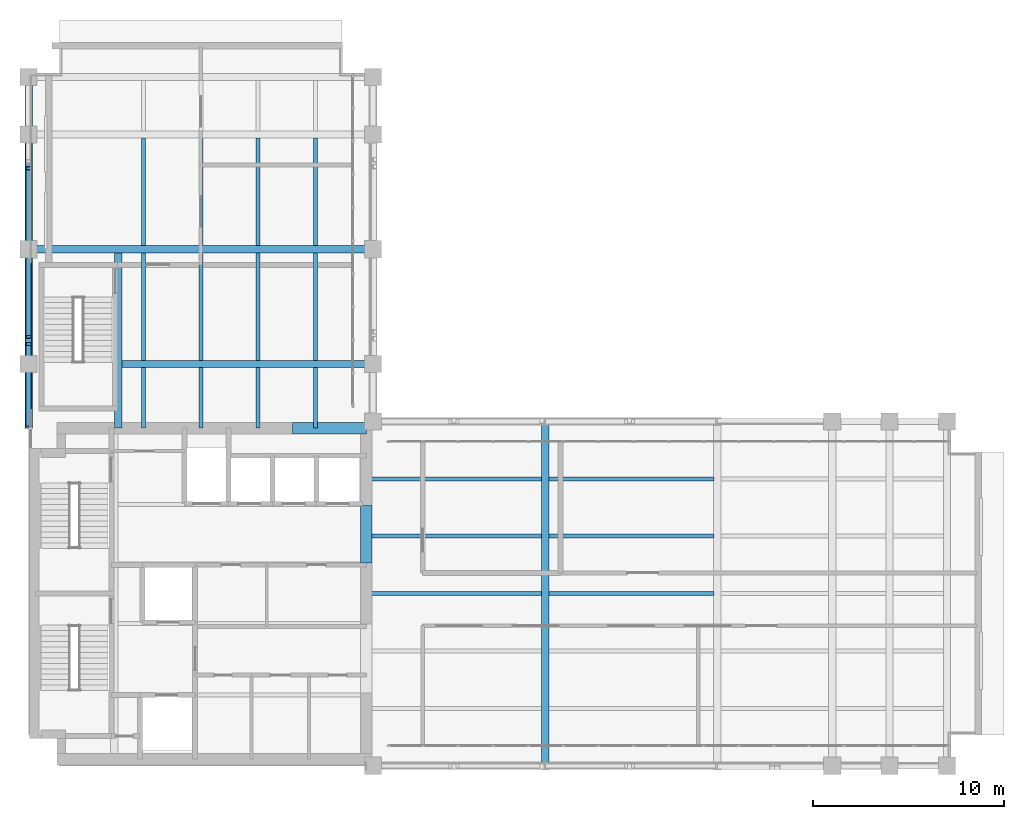
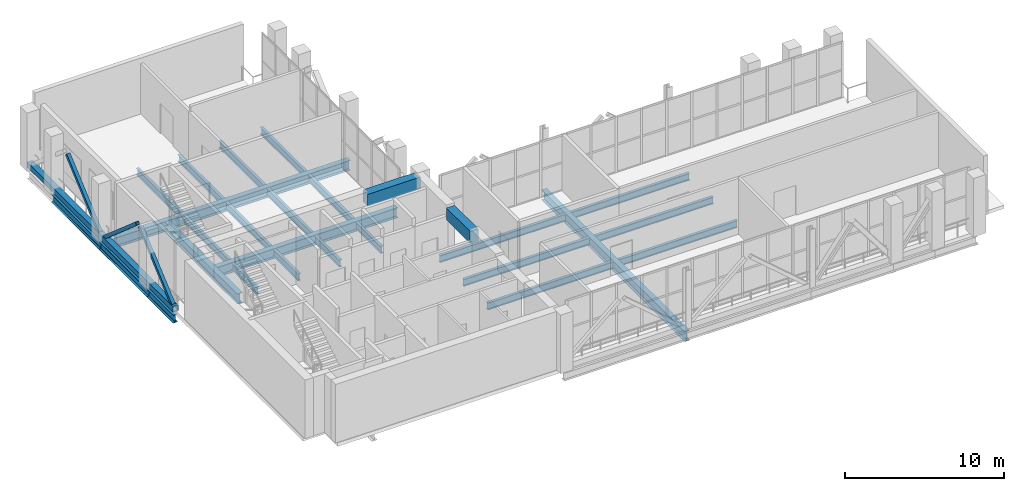
# One storey, part 5 of 26: 27 beams, 4 members.
"""IFC4 building model written with IfcOpenShell, lengths in metres."""

from ifc_helpers import new_model, si_unit, direction, frame, origin, origin_2d, place, context, subcontext, project, spatial, rectangle, hollow_rectangle, i_section, extrude, material, material_profile, profile_set, type_object, element, save


model = new_model("IFC4")

# Units and contexts
model_context = context("Model", 3, precision=1e-05, world=origin(), true_north=direction((0.0, 1.0)))
body_context = subcontext(model_context, "Body", "Model", "MODEL_VIEW")
ifc_project = project(units=[si_unit("LENGTHUNIT", "METRE"), si_unit("AREAUNIT", "SQUARE_METRE"), si_unit("VOLUMEUNIT", "CUBIC_METRE"), si_unit("PLANEANGLEUNIT", "RADIAN"), si_unit("MASSUNIT", "GRAM", prefix="KILO")], contexts=[model_context])

# Site, building, storey
site_placement = place(None, origin())
site = spatial("IfcSite", under=ifc_project, at=site_placement, CompositionType="ELEMENT")
building_placement = place(site_placement, origin())
building = spatial("IfcBuilding", under=site, at=building_placement, Name="Mawjdan Bourse Tower", CompositionType="ELEMENT")
storey_placement = place(building_placement, frame((0.0, 0.0, 226.800048828125)))
storey = spatial("IfcBuildingStorey", under=building, at=storey_placement, Name="L55", CompositionType="ELEMENT", Elevation=226.800048828125)

# Members
ifc_material_1 = material(Name="Structural Steel S355", Category="steel")
ifc_material_profile_1 = material_profile(ifc_material_1, hollow_rectangle(XDim=0.25, YDim=0.25, WallThickness=0.012451171875, at=origin_2d()), Name="HSS250X250X12.5")
ifc_profile_set_1 = profile_set([ifc_material_profile_1], Name="Structural Steel S355")
member_type_1 = type_object("IfcMemberType", Name="BRC-HSS250X250X12.5", PredefinedType="BRACE", material=ifc_profile_set_1)
member_1_placement = place(storey_placement, frame((6.0, 20.83349609375, 0.199951171875), z_axis=(0.0, 0.756383065472, 0.65412893092), x_axis=(-1.0, 0.0, 0.0)))
element("IfcMember", 1, at=member_1_placement, inside=storey, type_object=member_type_1, Name="L55 North Outrigger Truss 1 Diagonal 1", PredefinedType="BRACE", context=body_context, shape_type="SweptSolid", body=[
    extrude(hollow_rectangle(XDim=0.25, YDim=0.25, WallThickness=0.012451171875, at=origin_2d()), origin(), (0.0, 0.0, 1.0), 5.579833984375),
])
member_2_placement = place(storey_placement, frame((6.0, 25.4208984375, 3.849853515625), z_axis=(0.0, 0.756401786398, -0.654107282893), x_axis=(-1.0, 0.0, 0.0)))
element("IfcMember", 2, at=member_2_placement, inside=storey, type_object=member_type_1, Name="L55 North Outrigger Truss 1 Diagonal 2", PredefinedType="BRACE", context=body_context, shape_type="SweptSolid", body=[
    extrude(hollow_rectangle(XDim=0.25, YDim=0.25, WallThickness=0.012451171875, at=origin_2d()), origin(), (0.0, 0.0, 1.0), 5.580078125),
])
member_3_placement = place(storey_placement, frame((6.0, 30.008544921875, 0.199951171875), z_axis=(0.0, 0.756383065472, 0.65412893092), x_axis=(-1.0, 0.0, 0.0)))
element("IfcMember", 3, at=member_3_placement, inside=storey, type_object=member_type_1, Name="L55 North Outrigger Truss 1 Diagonal 3", PredefinedType="BRACE", context=body_context, shape_type="SweptSolid", body=[
    extrude(hollow_rectangle(XDim=0.25, YDim=0.25, WallThickness=0.012451171875, at=origin_2d()), origin(), (0.0, 0.0, 1.0), 5.579833984375),
])
ifc_material_2 = material(Name="Structural Steel S460", Category="steel")
ifc_material_profile_2 = material_profile(ifc_material_2, hollow_rectangle(XDim=0.39990234375, YDim=0.39990234375, WallThickness=0.01611328125, at=origin_2d()), Name="HSS400X400X16")
ifc_profile_set_2 = profile_set([ifc_material_profile_2], Name="Structural Steel S460")
member_type_2 = type_object("IfcMemberType", Name="CHD-HSS400X400X16", PredefinedType="CHORD", material=ifc_profile_set_2)
member_4_placement = place(storey_placement, frame((6.0, 20.64990234375, 0.199951171875), z_axis=(0.0, 1.0, 0.0), x_axis=(-1.0, 0.0, 0.0)))
element("IfcMember", 4, at=member_4_placement, inside=storey, type_object=member_type_2, Name="L55 North Outrigger Truss 1 Bottom Chord", PredefinedType="CHORD", context=body_context, shape_type="SweptSolid", body=[
    extrude(hollow_rectangle(XDim=0.39990234375, YDim=0.39990234375, WallThickness=0.01611328125, at=origin_2d()), origin(), (0.0, 0.0, 1.0), 18.35009765625),
])

# Beams
ifc_material_profile_3 = material_profile(ifc_material_1, i_section(OverallWidth=0.381103515625, OverallDepth=0.77294921875, WebThickness=0.0166015625, FlangeThickness=0.027099609375, FilletRadius=0.021728515625, at=origin_2d()), Name="W30X173")
ifc_profile_set_3 = profile_set([ifc_material_profile_3], Name="Structural Steel S355")
beam_type_1 = type_object("IfcBeamType", Name="GRD-W30X173", PredefinedType="BEAM", material=ifc_profile_set_3)
beam_1_placement = place(storey_placement, frame((33.0, 3.0, -0.66650390625), z_axis=(0.0, 1.0, 0.0), x_axis=(-1.0, 0.0, 0.0)))
element("IfcBeam", 5, at=beam_1_placement, inside=storey, type_object=beam_type_1, Name="L55 East Wing Clear-Span Girder 002", PredefinedType="BEAM", context=body_context, shape_type="SweptSolid", body=[
    extrude(i_section(OverallWidth=0.381103515625, OverallDepth=0.77294921875, WebThickness=0.0166015625, FlangeThickness=0.027099609375, FilletRadius=0.021728515625, at=origin_2d()), origin(), (0.0, 0.0, 1.0), 18.0),
])
beam_2_placement = place(storey_placement, frame((10.679931640625, 20.64990234375, -0.66650390625), z_axis=(0.0, 1.0, 0.0), x_axis=(-1.0, 0.0, 0.0)))
element("IfcBeam", 6, at=beam_2_placement, inside=storey, type_object=beam_type_1, Name="L55 North Wing Stair Trimmer Girder 046", PredefinedType="BEAM", context=body_context, shape_type="SweptSolid", body=[
    extrude(i_section(OverallWidth=0.381103515625, OverallDepth=0.77294921875, WebThickness=0.0166015625, FlangeThickness=0.027099609375, FilletRadius=0.021728515625, at=origin_2d()), origin(), (0.0, 0.0, 1.0), 9.16162109375),
])
beam_3_placement = place(storey_placement, frame((10.868408203125, 24.0, -0.66650390625), z_axis=(1.0, 0.0, 0.0), x_axis=(0.0, 1.0, 0.0)))
element("IfcBeam", 7, at=beam_3_placement, inside=storey, type_object=beam_type_1, Name="L55 North Wing Clear-Span Girder 047", PredefinedType="BEAM", context=body_context, shape_type="SweptSolid", body=[
    extrude(i_section(OverallWidth=0.381103515625, OverallDepth=0.77294921875, WebThickness=0.0166015625, FlangeThickness=0.027099609375, FilletRadius=0.021728515625, at=origin_2d()), origin(), (0.0, 0.0, 1.0), 13.131591796875),
])
beam_4_placement = place(storey_placement, frame((6.0, 30.0, -0.66650390625), z_axis=(1.0, 0.0, 0.0), x_axis=(0.0, 1.0, 0.0)))
element("IfcBeam", 8, at=beam_4_placement, inside=storey, type_object=beam_type_1, Name="L55 North Wing Clear-Span Girder 048", PredefinedType="BEAM", context=body_context, shape_type="SweptSolid", body=[
    extrude(i_section(OverallWidth=0.381103515625, OverallDepth=0.77294921875, WebThickness=0.0166015625, FlangeThickness=0.027099609375, FilletRadius=0.021728515625, at=origin_2d()), origin(), (0.0, 0.0, 1.0), 18.0),
])
ifc_material_profile_4 = material_profile(ifc_material_1, i_section(OverallWidth=0.2099609375, OverallDepth=0.537109375, WebThickness=0.010986328125, FlangeThickness=0.017333984375, FilletRadius=0.013916015625, at=origin_2d()), Name="W21X68")
ifc_profile_set_4 = profile_set([ifc_material_profile_4], Name="Structural Steel S355")
beam_type_2 = type_object("IfcBeamType", Name="JST-W21X68", PredefinedType="JOIST", material=ifc_profile_set_4)
beam_5_placement = place(storey_placement, frame((23.64990234375, 12.0, -0.548583984375), z_axis=(1.0, 0.0, 0.0), x_axis=(0.0, 1.0, 0.0)))
element("IfcBeam", 9, at=beam_5_placement, inside=storey, type_object=beam_type_2, Name="L55 East Wing Composite Joist 027", PredefinedType="JOIST", context=body_context, shape_type="SweptSolid", body=[
    extrude(i_section(OverallWidth=0.2099609375, OverallDepth=0.537109375, WebThickness=0.010986328125, FlangeThickness=0.017333984375, FilletRadius=0.013916015625, at=origin_2d()), origin(), (0.0, 0.0, 1.0), 9.16162109375),
])
beam_6_placement = place(storey_placement, frame((33.1884765625, 12.0, -0.548583984375), z_axis=(1.0, 0.0, 0.0), x_axis=(0.0, 1.0, 0.0)))
element("IfcBeam", 10, at=beam_6_placement, inside=storey, type_object=beam_type_2, Name="L55 East Wing Composite Joist 028", PredefinedType="JOIST", context=body_context, shape_type="SweptSolid", body=[
    extrude(i_section(OverallWidth=0.2099609375, OverallDepth=0.537109375, WebThickness=0.010986328125, FlangeThickness=0.017333984375, FilletRadius=0.013916015625, at=origin_2d()), origin(), (0.0, 0.0, 1.0), 8.623046875),
])
beam_7_placement = place(storey_placement, frame((23.64990234375, 15.0, -0.548583984375), z_axis=(1.0, 0.0, 0.0), x_axis=(0.0, 1.0, 0.0)))
element("IfcBeam", 11, at=beam_7_placement, inside=storey, type_object=beam_type_2, Name="L55 East Wing Composite Joist 032", PredefinedType="JOIST", context=body_context, shape_type="SweptSolid", body=[
    extrude(i_section(OverallWidth=0.2099609375, OverallDepth=0.537109375, WebThickness=0.010986328125, FlangeThickness=0.017333984375, FilletRadius=0.013916015625, at=origin_2d()), origin(), (0.0, 0.0, 1.0), 9.16162109375),
])
beam_8_placement = place(storey_placement, frame((33.1884765625, 15.0, -0.548583984375), z_axis=(1.0, 0.0, 0.0), x_axis=(0.0, 1.0, 0.0)))
element("IfcBeam", 12, at=beam_8_placement, inside=storey, type_object=beam_type_2, Name="L55 East Wing Composite Joist 033", PredefinedType="JOIST", context=body_context, shape_type="SweptSolid", body=[
    extrude(i_section(OverallWidth=0.2099609375, OverallDepth=0.537109375, WebThickness=0.010986328125, FlangeThickness=0.017333984375, FilletRadius=0.013916015625, at=origin_2d()), origin(), (0.0, 0.0, 1.0), 8.623046875),
])
beam_9_placement = place(storey_placement, frame((23.64990234375, 18.0, -0.548583984375), z_axis=(1.0, 0.0, 0.0), x_axis=(0.0, 1.0, 0.0)))
element("IfcBeam", 13, at=beam_9_placement, inside=storey, type_object=beam_type_2, Name="L55 East Wing Composite Joist 037", PredefinedType="JOIST", context=body_context, shape_type="SweptSolid", body=[
    extrude(i_section(OverallWidth=0.2099609375, OverallDepth=0.537109375, WebThickness=0.010986328125, FlangeThickness=0.017333984375, FilletRadius=0.013916015625, at=origin_2d()), origin(), (0.0, 0.0, 1.0), 9.16162109375),
])
beam_10_placement = place(storey_placement, frame((33.1884765625, 18.0, -0.548583984375), z_axis=(1.0, 0.0, 0.0), x_axis=(0.0, 1.0, 0.0)))
element("IfcBeam", 14, at=beam_10_placement, inside=storey, type_object=beam_type_2, Name="L55 East Wing Composite Joist 038", PredefinedType="JOIST", context=body_context, shape_type="SweptSolid", body=[
    extrude(i_section(OverallWidth=0.2099609375, OverallDepth=0.537109375, WebThickness=0.010986328125, FlangeThickness=0.017333984375, FilletRadius=0.013916015625, at=origin_2d()), origin(), (0.0, 0.0, 1.0), 8.623046875),
])
beam_11_placement = place(storey_placement, frame((12.0, 20.64990234375, -0.548583984375), z_axis=(0.0, 1.0, 0.0), x_axis=(-1.0, 0.0, 0.0)))
element("IfcBeam", 15, at=beam_11_placement, inside=storey, type_object=beam_type_2, Name="L55 North Wing Composite Joist 059", PredefinedType="JOIST", context=body_context, shape_type="SweptSolid", body=[
    extrude(i_section(OverallWidth=0.2099609375, OverallDepth=0.537109375, WebThickness=0.010986328125, FlangeThickness=0.017333984375, FilletRadius=0.013916015625, at=origin_2d()), origin(), (0.0, 0.0, 1.0), 3.16162109375),
])
for number, where, z_axis, x_axis, name in (
    (16, (12.0, 24.1884765625, -0.548583984375), (0.0, 1.0, 0.0), (-1.0, 0.0, 0.0), "L55 North Wing Composite Joist 060"),
    (17, (12.0, 30.1884765625, -0.548583984375), (0.0, 1.0, 0.0), (-1.0, 0.0, 0.0), "L55 North Wing Composite Joist 061"),
):
    element("IfcBeam", number, at=place(storey_placement, frame(where, z_axis=z_axis, x_axis=x_axis)), inside=storey, type_object=beam_type_2, Name=name, PredefinedType="JOIST", context=body_context, shape_type="SweptSolid", body=[
        extrude(i_section(OverallWidth=0.2099609375, OverallDepth=0.537109375, WebThickness=0.010986328125, FlangeThickness=0.017333984375, FilletRadius=0.013916015625, at=origin_2d()), origin(), (0.0, 0.0, 1.0), 5.623046875),
    ])
beam_12_placement = place(storey_placement, frame((15.0, 20.64990234375, -0.548583984375), z_axis=(0.0, 1.0, 0.0), x_axis=(-1.0, 0.0, 0.0)))
element("IfcBeam", 18, at=beam_12_placement, inside=storey, type_object=beam_type_2, Name="L55 North Wing Composite Joist 063", PredefinedType="JOIST", context=body_context, shape_type="SweptSolid", body=[
    extrude(i_section(OverallWidth=0.2099609375, OverallDepth=0.537109375, WebThickness=0.010986328125, FlangeThickness=0.017333984375, FilletRadius=0.013916015625, at=origin_2d()), origin(), (0.0, 0.0, 1.0), 3.16162109375),
])
for number, where, z_axis, x_axis, name in (
    (19, (15.0, 24.1884765625, -0.548583984375), (0.0, 1.0, 0.0), (-1.0, 0.0, 0.0), "L55 North Wing Composite Joist 064"),
    (20, (15.0, 30.1884765625, -0.548583984375), (0.0, 1.0, 0.0), (-1.0, 0.0, 0.0), "L55 North Wing Composite Joist 065"),
):
    element("IfcBeam", number, at=place(storey_placement, frame(where, z_axis=z_axis, x_axis=x_axis)), inside=storey, type_object=beam_type_2, Name=name, PredefinedType="JOIST", context=body_context, shape_type="SweptSolid", body=[
        extrude(i_section(OverallWidth=0.2099609375, OverallDepth=0.537109375, WebThickness=0.010986328125, FlangeThickness=0.017333984375, FilletRadius=0.013916015625, at=origin_2d()), origin(), (0.0, 0.0, 1.0), 5.623046875),
    ])
beam_13_placement = place(storey_placement, frame((18.0, 20.64990234375, -0.548583984375), z_axis=(0.0, 1.0, 0.0), x_axis=(-1.0, 0.0, 0.0)))
element("IfcBeam", 21, at=beam_13_placement, inside=storey, type_object=beam_type_2, Name="L55 North Wing Composite Joist 067", PredefinedType="JOIST", context=body_context, shape_type="SweptSolid", body=[
    extrude(i_section(OverallWidth=0.2099609375, OverallDepth=0.537109375, WebThickness=0.010986328125, FlangeThickness=0.017333984375, FilletRadius=0.013916015625, at=origin_2d()), origin(), (0.0, 0.0, 1.0), 3.16162109375),
])
for number, where, z_axis, x_axis, name in (
    (22, (18.0, 24.1884765625, -0.548583984375), (0.0, 1.0, 0.0), (-1.0, 0.0, 0.0), "L55 North Wing Composite Joist 068"),
    (23, (18.0, 30.1884765625, -0.548583984375), (0.0, 1.0, 0.0), (-1.0, 0.0, 0.0), "L55 North Wing Composite Joist 069"),
):
    element("IfcBeam", number, at=place(storey_placement, frame(where, z_axis=z_axis, x_axis=x_axis)), inside=storey, type_object=beam_type_2, Name=name, PredefinedType="JOIST", context=body_context, shape_type="SweptSolid", body=[
        extrude(i_section(OverallWidth=0.2099609375, OverallDepth=0.537109375, WebThickness=0.010986328125, FlangeThickness=0.017333984375, FilletRadius=0.013916015625, at=origin_2d()), origin(), (0.0, 0.0, 1.0), 5.623046875),
    ])
beam_14_placement = place(storey_placement, frame((21.0, 20.64990234375, -0.548583984375), z_axis=(0.0, 1.0, 0.0), x_axis=(-1.0, 0.0, 0.0)))
element("IfcBeam", 24, at=beam_14_placement, inside=storey, type_object=beam_type_2, Name="L55 North Wing Composite Joist 071", PredefinedType="JOIST", context=body_context, shape_type="SweptSolid", body=[
    extrude(i_section(OverallWidth=0.2099609375, OverallDepth=0.537109375, WebThickness=0.010986328125, FlangeThickness=0.017333984375, FilletRadius=0.013916015625, at=origin_2d()), origin(), (0.0, 0.0, 1.0), 3.16162109375),
])
for number, where, z_axis, x_axis, name in (
    (25, (21.0, 24.1884765625, -0.548583984375), (0.0, 1.0, 0.0), (-1.0, 0.0, 0.0), "L55 North Wing Composite Joist 072"),
    (26, (21.0, 30.1884765625, -0.548583984375), (0.0, 1.0, 0.0), (-1.0, 0.0, 0.0), "L55 North Wing Composite Joist 073"),
):
    element("IfcBeam", number, at=place(storey_placement, frame(where, z_axis=z_axis, x_axis=x_axis)), inside=storey, type_object=beam_type_2, Name=name, PredefinedType="JOIST", context=body_context, shape_type="SweptSolid", body=[
        extrude(i_section(OverallWidth=0.2099609375, OverallDepth=0.537109375, WebThickness=0.010986328125, FlangeThickness=0.017333984375, FilletRadius=0.013916015625, at=origin_2d()), origin(), (0.0, 0.0, 1.0), 5.623046875),
    ])
ifc_material_3 = material(Name="Concrete C70/85", Category="concrete")
ifc_material_profile_5 = material_profile(ifc_material_3, rectangle(XDim=0.60009765625, YDim=0.89990234375, at=origin_2d()), Name="RCB600X900")
ifc_profile_set_5 = profile_set([ifc_material_profile_5], Name="Concrete C70/85")
beam_type_3 = type_object("IfcBeamType", Name="LNT-RCB600X900", PredefinedType="LINTEL", material=ifc_profile_set_5)
beam_15_placement = place(storey_placement, frame((23.64990234375, 13.60009765625, 3.849853515625), z_axis=(0.0, 1.0, 0.0), x_axis=(-1.0, 0.0, 0.0)))
element("IfcBeam", 27, at=beam_15_placement, inside=storey, type_object=beam_type_3, Name="L55 Coupled Core Lintel CB-E2", PredefinedType="LINTEL", context=body_context, shape_type="SweptSolid", body=[
    extrude(rectangle(XDim=0.60009765625, YDim=0.89990234375, at=origin_2d()), origin(), (0.0, 0.0, 1.0), 3.0),
])
beam_16_placement = place(storey_placement, frame((19.800048828125, 20.64990234375, 3.849853515625), z_axis=(1.0, 0.0, 0.0), x_axis=(0.0, 1.0, 0.0)))
element("IfcBeam", 28, at=beam_16_placement, inside=storey, type_object=beam_type_3, Name="L55 Coupled Core Lintel CB-N1", PredefinedType="LINTEL", context=body_context, shape_type="SweptSolid", body=[
    extrude(rectangle(XDim=0.60009765625, YDim=0.89990234375, at=origin_2d()), origin(), (0.0, 0.0, 1.0), 3.849853515625),
])
ifc_material_profile_6 = material_profile(ifc_material_1, i_section(OverallWidth=0.324951171875, OverallDepth=0.616943359375, WebThickness=0.013916015625, FlangeThickness=0.021484375, FilletRadius=0.017333984375, at=origin_2d()), Name="W24X117")
ifc_profile_set_6 = profile_set([ifc_material_profile_6], Name="Structural Steel S355")
beam_type_4 = type_object("IfcBeamType", Name="SPN-W24X117", PredefinedType="SPANDREL", material=ifc_profile_set_6)
beam_17_placement = place(storey_placement, frame((6.0, 20.64990234375, -0.588623046875), z_axis=(0.0, 1.0, 0.0), x_axis=(-1.0, 0.0, 0.0)))
element("IfcBeam", 29, at=beam_17_placement, inside=storey, type_object=beam_type_4, Name="L55 North Wing Spandrel 051", PredefinedType="SPANDREL", context=body_context, shape_type="SweptSolid", body=[
    extrude(i_section(OverallWidth=0.324951171875, OverallDepth=0.616943359375, WebThickness=0.013916015625, FlangeThickness=0.021484375, FilletRadius=0.017333984375, at=origin_2d()), origin(), (0.0, 0.0, 1.0), 3.35009765625),
])
for number, where, z_axis, x_axis, name in (
    (30, (6.0, 24.0, -0.588623046875), (0.0, 1.0, 0.0), (-1.0, 0.0, 0.0), "L55 North Wing Spandrel 052"),
    (31, (6.0, 30.0, -0.588623046875), (0.0, 1.0, 0.0), (-1.0, 0.0, 0.0), "L55 North Wing Spandrel 053"),
):
    element("IfcBeam", number, at=place(storey_placement, frame(where, z_axis=z_axis, x_axis=x_axis)), inside=storey, type_object=beam_type_4, Name=name, PredefinedType="SPANDREL", context=body_context, shape_type="SweptSolid", body=[
        extrude(i_section(OverallWidth=0.324951171875, OverallDepth=0.616943359375, WebThickness=0.013916015625, FlangeThickness=0.021484375, FilletRadius=0.017333984375, at=origin_2d()), origin(), (0.0, 0.0, 1.0), 6.0),
    ])

save(model, "model.ifc")
